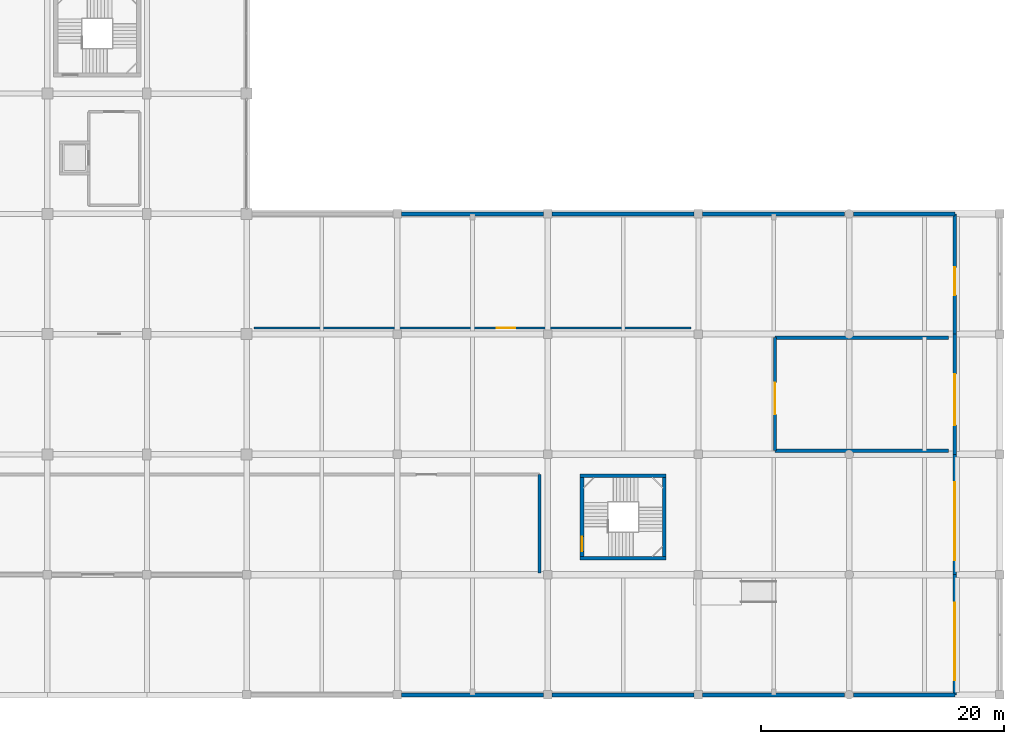
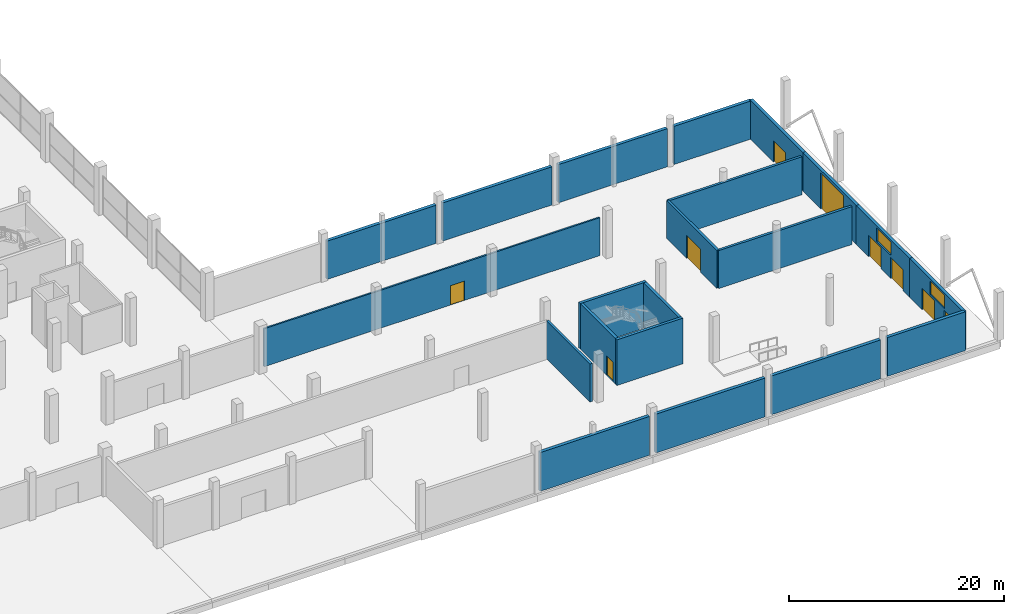
# One storey, part 24 of 50: 21 walls, 9 doors, 2 windows, 11 openings.
"""IFC4 building model written with IfcOpenShell, lengths in metres."""

from ifc_helpers import new_model, si_unit, direction, frame, frame_2d, origin, place, context, subcontext, project, spatial, rectangle, extrude, material, layer, layer_set, type_object, element, fill, save


model = new_model("IFC4")

# Units and contexts
model_context = context("Model", 3, precision=1e-05, world=origin(), true_north=direction((0.0, 1.0)))
body_context = subcontext(model_context, "Body", "Model", "MODEL_VIEW")
ifc_project = project(units=[si_unit("LENGTHUNIT", "METRE"), si_unit("AREAUNIT", "SQUARE_METRE"), si_unit("VOLUMEUNIT", "CUBIC_METRE"), si_unit("PLANEANGLEUNIT", "RADIAN"), si_unit("MASSUNIT", "GRAM", prefix="KILO")], contexts=[model_context])

# Site, building, storey
site_placement = place(None, origin())
site = spatial("IfcSite", under=ifc_project, at=site_placement, CompositionType="ELEMENT")
building_placement = place(site_placement, origin())
building = spatial("IfcBuilding", under=site, at=building_placement, Name="Sillaruma Civic Art Gallery", CompositionType="ELEMENT")
storey_placement = place(building_placement, origin())
storey = spatial("IfcBuildingStorey", under=building, at=storey_placement, Name="L00", CompositionType="ELEMENT", Elevation=0.0)

# Walls
ifc_material_1 = material(Name="Concrete H40 (40 MPa)", Category="concrete")
ifc_layer_1 = layer(ifc_material_1, 0.300048828125, Name="Concrete H40 (40 MPa)")
ifc_layer_set_1 = layer_set([ifc_layer_1], Name="Concrete H40 (40 MPa)")
wall_type_1 = type_object("IfcWallType", Name="WAL-CORE-300", PredefinedType="SHEAR", material=ifc_layer_set_1)
for number, where, z_axis, x_axis, name in (
    (1, (141.860107421875, 11.25, 0.0), (0.0, 0.0, 1.0), (1.0, 0.0, 0.0), "Stair Core Shear Wall W-CORE-300 (ST-05:L00:S)"),
    (2, (141.860107421875, 18.030029296875, 0.0), (0.0, 0.0, 1.0), (1.0, 0.0, 0.0), "Stair Core Shear Wall W-CORE-300 (ST-05:L00:N)"),
):
    element("IfcWall", number, at=place(storey_placement, frame(where, z_axis=z_axis, x_axis=x_axis)), inside=storey, type_object=wall_type_1, Name=name, PredefinedType="SHEAR", context=body_context, shape_type="SweptSolid", body=[
        extrude(rectangle(XDim=7.079833984375, YDim=0.300048828125, at=frame_2d((3.5400390625, 0.0))), origin(), (0.0, 0.0, 1.0), 5.179931640625),
    ])

# Wall, opening, door
wall_1_placement = place(storey_placement, frame((142.010009765625, 11.39990234375, 0.0), z_axis=(0.0, 0.0, 1.0), x_axis=(0.0, 1.0, 0.0)))
wall_1 = element("IfcWall", 3, at=wall_1_placement, inside=storey, type_object=wall_type_1, Name="Stair Core Shear Wall W-CORE-300 (ST-05:L00:W)", PredefinedType="SHEAR", context=body_context, shape_type="SweptSolid", body=[
    extrude(rectangle(XDim=6.47998046875, YDim=0.300048828125, at=frame_2d((3.239990234375, 0.0))), origin(), (0.0, 0.0, 1.0), 5.179931640625),
])
opening_1_placement = place(wall_1_placement, frame((0.419921875, 0.0, 0.0)))
opening_1 = element("IfcOpeningElement", 4, at=opening_1_placement, cuts=wall_1, Name="Opening D-STAIR", PredefinedType="OPENING", context=body_context, shape_type="SweptSolid", body=[
    extrude(rectangle(XDim=1.199951171875, YDim=2.199951171875, at=frame_2d((0.60009765625, 1.10009765625))), frame((0.0, 0.159912109375, 0.0), z_axis=(0.0, -1.0, 0.0), x_axis=(1.0, 0.0, 0.0)), (0.0, 0.0, 1.0), 0.320068359375),
])
ifc_material_2 = material(Name="Galvanised Steel ASTM A653 Gr.50", Category="steel")
door_type_1 = type_object("IfcDoorType", Name="DOR-STAIR-120", OperationType="NOTDEFINED", PredefinedType="DOOR", material=ifc_material_2)
door_1_placement = place(opening_1_placement, origin())
door_1 = element("IfcDoor", 5, at=door_1_placement, inside=storey, type_object=door_type_1, Name="Protected Stair Fire Door (ST-05:L00)", OperationType="SINGLE_SWING_LEFT", OverallHeight=2.199951171875, OverallWidth=1.199951171875, PredefinedType="DOOR", context=body_context, shape_type="SweptSolid", body=[
    extrude(rectangle(XDim=1.199951171875, YDim=2.199951171875, at=frame_2d((0.60009765625, 1.10009765625))), frame((0.0, 0.02490234375, 0.0), z_axis=(0.0, -1.0, 0.0), x_axis=(1.0, 0.0, 0.0)), (0.0, 0.0, 1.0), 0.050048828125),
])
fill(opening_1, door_1)

# Walls
wall_2_placement = place(storey_placement, frame((148.7900390625, 11.39990234375, 0.0), z_axis=(0.0, 0.0, 1.0), x_axis=(0.0, 1.0, 0.0)))
element("IfcWall", 6, at=wall_2_placement, inside=storey, type_object=wall_type_1, Name="Stair Core Shear Wall W-CORE-300 (ST-05:L00:E)", PredefinedType="SHEAR", context=body_context, shape_type="SweptSolid", body=[
    extrude(rectangle(XDim=6.47998046875, YDim=0.300048828125, at=frame_2d((3.239990234375, 0.0))), origin(), (0.0, 0.0, 1.0), 5.179931640625),
])
ifc_material_3 = material(Name="Concrete Masonry Unit Grade M20", Category="masonry")
ifc_layer_2 = layer(ifc_material_3, 0.264892578125, Name="Concrete Masonry Unit Grade M20")
ifc_layer_set_2 = layer_set([ifc_layer_2], Name="Concrete Masonry Unit Grade M20")
wall_type_2 = type_object("IfcWallType", Name="WAL-DOCK-250", PredefinedType="SOLIDWALL", material=ifc_layer_set_2)
for number, where, z_axis, x_axis, name in (
    (7, (157.89990234375, 20.10009765625, 0.0), (0.0, 0.0, 1.0), (1.0, 0.0, 0.0), "Interior Wall W-DOCK-250 (L00-DOCK)"),
    (8, (157.89990234375, 29.39990234375, 0.0), (0.0, 0.0, 1.0), (1.0, 0.0, 0.0), "Interior Wall W-DOCK-250 (L00-DOCK)"),
):
    element("IfcWall", number, at=place(storey_placement, frame(where, z_axis=z_axis, x_axis=x_axis)), inside=storey, type_object=wall_type_2, Name=name, PredefinedType="SOLIDWALL", context=body_context, shape_type="SweptSolid", body=[
        extrude(rectangle(XDim=14.300048828125, YDim=0.264892578125, at=frame_2d((7.14990234375, 0.0))), origin(), (0.0, 0.0, 1.0), 4.300048828125),
    ])

# Wall, opening, door
wall_3_placement = place(storey_placement, frame((157.89990234375, 20.10009765625, 0.0), z_axis=(0.0, 0.0, 1.0), x_axis=(0.0, 1.0, 0.0)))
wall_3 = element("IfcWall", 9, at=wall_3_placement, inside=storey, type_object=wall_type_2, Name="Interior Wall W-DOCK-250 (L00-DOCK)", PredefinedType="SOLIDWALL", context=body_context, shape_type="SweptSolid", body=[
    extrude(rectangle(XDim=9.2998046875, YDim=0.264892578125, at=frame_2d((4.64990234375, 0.0))), origin(), (0.0, 0.0, 1.0), 4.300048828125),
])
opening_2_placement = place(wall_3_placement, frame((3.0, 0.0, 0.0)))
opening_2 = element("IfcOpeningElement", 10, at=opening_2_placement, cuts=wall_3, Name="Opening D-STR26", PredefinedType="OPENING", context=body_context, shape_type="SweptSolid", body=[
    extrude(rectangle(XDim=2.60009765625, YDim=2.60009765625, at=frame_2d((1.300048828125, 1.300048828125))), frame((0.0, 0.142333984375, 0.0), z_axis=(0.0, -1.0, 0.0), x_axis=(1.0, 0.0, 0.0)), (0.0, 0.0, 1.0), 0.284912109375),
])
door_type_2 = type_object("IfcDoorType", Name="DOR-STORE-260", OperationType="NOTDEFINED", PredefinedType="DOOR", material=ifc_material_2)
door_2_placement = place(opening_2_placement, origin())
door_2 = element("IfcDoor", 11, at=door_2_placement, inside=storey, type_object=door_type_2, Name="Loading Dock Door (D-STR26)", OperationType="DOUBLE_DOOR_SINGLE_SWING", OverallHeight=2.60009765625, OverallWidth=2.60009765625, PredefinedType="DOOR", context=body_context, shape_type="SweptSolid", body=[
    extrude(rectangle(XDim=2.60009765625, YDim=2.60009765625, at=frame_2d((1.300048828125, 1.300048828125))), frame((0.0, 0.02490234375, 0.0), z_axis=(0.0, -1.0, 0.0), x_axis=(1.0, 0.0, 0.0)), (0.0, 0.0, 1.0), 0.050048828125),
])
fill(opening_2, door_2)

# Wall, openings, doors, window
ifc_material_4 = material(Name="Concrete Masonry Unit Grade M15", Category="masonry")
ifc_layer_3 = layer(ifc_material_4, 0.18994140625, Name="Structural backup", Category="masonry")
ifc_material_5 = material(Name="Mineral Wool Thermal Insulation", Category="insulation")
ifc_layer_4 = layer(ifc_material_5, 0.080078125, Name="Thermal insulation", Category="insulation")
ifc_material_6 = material(Name="Comanche Granitic Ashlar Stone", Category="masonry")
ifc_layer_5 = layer(ifc_material_6, 0.050048828125, Name="Rainscreen cladding", Category="masonry")
ifc_layer_set_3 = layer_set([ifc_layer_3, ifc_layer_4, ifc_layer_5], Name="W-EXT-320")
wall_type_3 = type_object("IfcWallType", Name="WAL-EXT-320", PredefinedType="SOLIDWALL", material=ifc_layer_set_3)
wall_4_placement = place(storey_placement, frame((172.699951171875, 0.0, 0.0), z_axis=(0.0, 0.0, 1.0), x_axis=(0.0, 1.0, 0.0)))
wall_4 = element("IfcWall", 12, at=wall_4_placement, inside=storey, type_object=wall_type_3, Name="Exterior Wall W-EXT-320 (EW-L00-ESTR-1)", PredefinedType="SOLIDWALL", context=body_context, shape_type="SweptSolid", body=[
    extrude(rectangle(XDim=9.89990234375, YDim=0.320068359375, at=frame_2d((4.949951171875, 0.0))), origin(), (0.0, 0.0, 1.0), 4.39990234375),
])
opening_3_placement = place(wall_4_placement, frame((3.39990234375, 0.0, 2.64990234375)))
opening_3 = element("IfcOpeningElement", 13, at=opening_3_placement, cuts=wall_4, Name="Opening WN-18", PredefinedType="OPENING", context=body_context, shape_type="SweptSolid", body=[
    extrude(rectangle(XDim=2.699951171875, YDim=1.5, at=frame_2d((1.35009765625, 0.75))), frame((0.0, 0.169921875, 0.0), z_axis=(0.0, -1.0, 0.0), x_axis=(1.0, 0.0, 0.0)), (0.0, 0.0, 1.0), 0.340087890625),
])
opening_4_placement = place(wall_4_placement, frame((1.199951171875, 0.0, 0.0)))
opening_4 = element("IfcOpeningElement", 14, at=opening_4_placement, cuts=wall_4, Name="Opening EX-230", PredefinedType="OPENING", context=body_context, shape_type="SweptSolid", body=[
    extrude(rectangle(XDim=2.300048828125, YDim=2.39990234375, at=frame_2d((1.14990234375, 1.199951171875))), frame((0.0, 0.169921875, 0.0), z_axis=(0.0, -1.0, 0.0), x_axis=(1.0, 0.0, 0.0)), (0.0, 0.0, 1.0), 0.340087890625),
])
opening_5_placement = place(wall_4_placement, frame((5.300048828125, 0.0, 0.0)))
opening_5 = element("IfcOpeningElement", 15, at=opening_5_placement, cuts=wall_4, Name="Opening EX-230", PredefinedType="OPENING", context=body_context, shape_type="SweptSolid", body=[
    extrude(rectangle(XDim=2.300048828125, YDim=2.39990234375, at=frame_2d((1.14990234375, 1.199951171875))), frame((0.0, 0.169921875, 0.0), z_axis=(0.0, -1.0, 0.0), x_axis=(1.0, 0.0, 0.0)), (0.0, 0.0, 1.0), 0.340087890625),
])
ifc_material_7 = material(Name="Thermally Broken Extruded Aluminium 6063-T6", Category="aluminium")
door_type_3 = type_object("IfcDoorType", Name="DOR-EX-230", OperationType="NOTDEFINED", PredefinedType="DOOR", material=ifc_material_7)
door_3_placement = place(opening_4_placement, frame((2.300048828125, 0.0, 0.0), z_axis=(0.0, 0.0, 1.0), x_axis=(-1.0, 0.0, 0.0)))
door_3 = element("IfcDoor", 16, at=door_3_placement, inside=storey, type_object=door_type_3, Name="Pedestrian Exit Door EX-E1", OperationType="DOUBLE_DOOR_SINGLE_SWING", OverallHeight=2.39990234375, OverallWidth=2.300048828125, PredefinedType="DOOR", context=body_context, shape_type="SweptSolid", body=[
    extrude(rectangle(XDim=2.300048828125, YDim=2.39990234375, at=frame_2d((1.14990234375, 1.199951171875))), frame((0.0, 0.02490234375, 0.0), z_axis=(0.0, -1.0, 0.0), x_axis=(1.0, 0.0, 0.0)), (0.0, 0.0, 1.0), 0.050048828125),
])
fill(opening_4, door_3)
door_4_placement = place(opening_5_placement, frame((2.300048828125, 0.0, 0.0), z_axis=(0.0, 0.0, 1.0), x_axis=(-1.0, 0.0, 0.0)))
door_4 = element("IfcDoor", 17, at=door_4_placement, inside=storey, type_object=door_type_3, Name="Pedestrian Exit Door EX-E2", OperationType="DOUBLE_DOOR_SINGLE_SWING", OverallHeight=2.39990234375, OverallWidth=2.300048828125, PredefinedType="DOOR", context=body_context, shape_type="SweptSolid", body=[
    extrude(rectangle(XDim=2.300048828125, YDim=2.39990234375, at=frame_2d((1.14990234375, 1.199951171875))), frame((0.0, 0.02490234375, 0.0), z_axis=(0.0, -1.0, 0.0), x_axis=(1.0, 0.0, 0.0)), (0.0, 0.0, 1.0), 0.050048828125),
])
fill(opening_5, door_4)
window_type = type_object("IfcWindowType", Name="WIN-W18", PartitioningType="SINGLE_PANEL", PredefinedType="WINDOW", material=ifc_material_7)
window_1_placement = place(opening_3_placement, origin())
window_1 = element("IfcWindow", 18, at=window_1_placement, inside=storey, type_object=window_type, Name="Window WN-18 (EW-L00-ESTR-1-1)", OverallHeight=1.5, OverallWidth=2.699951171875, PartitioningType="SINGLE_PANEL", PredefinedType="WINDOW", context=body_context, shape_type="SweptSolid", body=[
    extrude(rectangle(XDim=2.699951171875, YDim=1.5, at=frame_2d((1.35009765625, 0.75))), frame((0.0, 0.030029296875, 0.0), z_axis=(0.0, -1.0, 0.0), x_axis=(1.0, 0.0, 0.0)), (0.0, 0.0, 1.0), 0.06005859375),
])
fill(opening_3, window_1)

wall_5_placement = place(storey_placement, frame((172.699951171875, 9.89990234375, 0.0), z_axis=(0.0, 0.0, 1.0), x_axis=(0.0, 1.0, 0.0)))
wall_5 = element("IfcWall", 19, at=wall_5_placement, inside=storey, type_object=wall_type_3, Name="Exterior Wall W-EXT-320 (EW-L00-ESTR-2)", PredefinedType="SOLIDWALL", context=body_context, shape_type="SweptSolid", body=[
    extrude(rectangle(XDim=9.900146484375, YDim=0.320068359375, at=frame_2d((4.9501953125, 0.0))), origin(), (0.0, 0.0, 1.0), 4.39990234375),
])
opening_6_placement = place(wall_5_placement, frame((3.39990234375, 0.0, 2.64990234375)))
opening_6 = element("IfcOpeningElement", 20, at=opening_6_placement, cuts=wall_5, Name="Opening WN-18", PredefinedType="OPENING", context=body_context, shape_type="SweptSolid", body=[
    extrude(rectangle(XDim=2.699951171875, YDim=1.5, at=frame_2d((1.35009765625, 0.75))), frame((0.0, 0.169921875, 0.0), z_axis=(0.0, -1.0, 0.0), x_axis=(1.0, 0.0, 0.0)), (0.0, 0.0, 1.0), 0.340087890625),
])
opening_7_placement = place(wall_5_placement, frame((1.199951171875, 0.0, 0.0)))
opening_7 = element("IfcOpeningElement", 21, at=opening_7_placement, cuts=wall_5, Name="Opening EX-230", PredefinedType="OPENING", context=body_context, shape_type="SweptSolid", body=[
    extrude(rectangle(XDim=2.300048828125, YDim=2.39990234375, at=frame_2d((1.14990234375, 1.199951171875))), frame((0.0, 0.169921875, 0.0), z_axis=(0.0, -1.0, 0.0), x_axis=(1.0, 0.0, 0.0)), (0.0, 0.0, 1.0), 0.340087890625),
])
opening_8_placement = place(wall_5_placement, frame((5.300048828125, 0.0, 0.0)))
opening_8 = element("IfcOpeningElement", 22, at=opening_8_placement, cuts=wall_5, Name="Opening EX-230", PredefinedType="OPENING", context=body_context, shape_type="SweptSolid", body=[
    extrude(rectangle(XDim=2.300048828125, YDim=2.39990234375, at=frame_2d((1.14990234375, 1.199951171875))), frame((0.0, 0.169921875, 0.0), z_axis=(0.0, -1.0, 0.0), x_axis=(1.0, 0.0, 0.0)), (0.0, 0.0, 1.0), 0.340087890625),
])
door_5_placement = place(opening_7_placement, frame((2.300048828125, 0.0, 0.0), z_axis=(0.0, 0.0, 1.0), x_axis=(-1.0, 0.0, 0.0)))
door_5 = element("IfcDoor", 23, at=door_5_placement, inside=storey, type_object=door_type_3, Name="Pedestrian Exit Door EX-E3", OperationType="DOUBLE_DOOR_SINGLE_SWING", OverallHeight=2.39990234375, OverallWidth=2.300048828125, PredefinedType="DOOR", context=body_context, shape_type="SweptSolid", body=[
    extrude(rectangle(XDim=2.300048828125, YDim=2.39990234375, at=frame_2d((1.14990234375, 1.199951171875))), frame((0.0, 0.02490234375, 0.0), z_axis=(0.0, -1.0, 0.0), x_axis=(1.0, 0.0, 0.0)), (0.0, 0.0, 1.0), 0.050048828125),
])
fill(opening_7, door_5)
door_6_placement = place(opening_8_placement, frame((2.300048828125, 0.0, 0.0), z_axis=(0.0, 0.0, 1.0), x_axis=(-1.0, 0.0, 0.0)))
door_6 = element("IfcDoor", 24, at=door_6_placement, inside=storey, type_object=door_type_3, Name="Pedestrian Exit Door EX-E4", OperationType="DOUBLE_DOOR_SINGLE_SWING", OverallHeight=2.39990234375, OverallWidth=2.300048828125, PredefinedType="DOOR", context=body_context, shape_type="SweptSolid", body=[
    extrude(rectangle(XDim=2.300048828125, YDim=2.39990234375, at=frame_2d((1.14990234375, 1.199951171875))), frame((0.0, 0.02490234375, 0.0), z_axis=(0.0, -1.0, 0.0), x_axis=(1.0, 0.0, 0.0)), (0.0, 0.0, 1.0), 0.050048828125),
])
fill(opening_8, door_6)
window_2_placement = place(opening_6_placement, origin())
window_2 = element("IfcWindow", 25, at=window_2_placement, inside=storey, type_object=window_type, Name="Window WN-18 (EW-L00-ESTR-2-1)", OverallHeight=1.5, OverallWidth=2.699951171875, PartitioningType="SINGLE_PANEL", PredefinedType="WINDOW", context=body_context, shape_type="SweptSolid", body=[
    extrude(rectangle(XDim=2.699951171875, YDim=1.5, at=frame_2d((1.35009765625, 0.75))), frame((0.0, 0.030029296875, 0.0), z_axis=(0.0, -1.0, 0.0), x_axis=(1.0, 0.0, 0.0)), (0.0, 0.0, 1.0), 0.06005859375),
])
fill(opening_6, window_2)

# Wall, opening, door
wall_6_placement = place(storey_placement, frame((172.699951171875, 19.800048828125, 0.0), z_axis=(0.0, 0.0, 1.0), x_axis=(0.0, 1.0, 0.0)))
wall_6 = element("IfcWall", 26, at=wall_6_placement, inside=storey, type_object=wall_type_3, Name="Exterior Wall W-EXT-320 (EW-L00-ESTR-3)", PredefinedType="SOLIDWALL", context=body_context, shape_type="SweptSolid", body=[
    extrude(rectangle(XDim=9.89990234375, YDim=0.320068359375, at=frame_2d((4.949951171875, 0.0))), origin(), (0.0, 0.0, 1.0), 4.39990234375),
])
opening_9_placement = place(wall_6_placement, frame((2.39990234375, 0.0, 0.0)))
opening_9 = element("IfcOpeningElement", 27, at=opening_9_placement, cuts=wall_6, Name="Opening GD-01", PredefinedType="OPENING", context=body_context, shape_type="SweptSolid", body=[
    extrude(rectangle(XDim=4.199951171875, YDim=4.10009765625, at=frame_2d((2.10009765625, 2.050048828125))), frame((0.0, 0.169921875, 0.0), z_axis=(0.0, -1.0, 0.0), x_axis=(1.0, 0.0, 0.0)), (0.0, 0.0, 1.0), 0.340087890625),
])
door_type_4 = type_object("IfcDoorType", Name="DOR-GATE-420", OperationType="NOTDEFINED", PredefinedType="GATE", material=ifc_material_2)
door_7_placement = place(opening_9_placement, frame((4.199951171875, 0.0, 0.0), z_axis=(0.0, 0.0, 1.0), x_axis=(-1.0, 0.0, 0.0)))
door_7 = element("IfcDoor", 28, at=door_7_placement, inside=storey, type_object=door_type_4, Name="Loading Dock Roller Shutter Gate GD-01", OperationType="ROLLINGUP", OverallHeight=4.10009765625, OverallWidth=4.199951171875, PredefinedType="GATE", context=body_context, shape_type="SweptSolid", body=[
    extrude(rectangle(XDim=4.199951171875, YDim=4.10009765625, at=frame_2d((2.10009765625, 2.050048828125))), frame((0.0, 0.02490234375, 0.0), z_axis=(0.0, -1.0, 0.0), x_axis=(1.0, 0.0, 0.0)), (0.0, 0.0, 1.0), 0.050048828125),
])
fill(opening_9, door_7)

wall_7_placement = place(storey_placement, frame((172.699951171875, 29.699951171875, 0.0), z_axis=(0.0, 0.0, 1.0), x_axis=(0.0, 1.0, 0.0)))
wall_7 = element("IfcWall", 29, at=wall_7_placement, inside=storey, type_object=wall_type_3, Name="Exterior Wall W-EXT-320 (EW-L00-ESTR-4)", PredefinedType="SOLIDWALL", context=body_context, shape_type="SweptSolid", body=[
    extrude(rectangle(XDim=9.900146484375, YDim=0.320068359375, at=frame_2d((4.9501953125, 0.0))), origin(), (0.0, 0.0, 1.0), 4.39990234375),
])
opening_10_placement = place(wall_7_placement, frame((3.199951171875, 0.0, 0.0)))
opening_10 = element("IfcOpeningElement", 30, at=opening_10_placement, cuts=wall_7, Name="Opening EX-230", PredefinedType="OPENING", context=body_context, shape_type="SweptSolid", body=[
    extrude(rectangle(XDim=2.300048828125, YDim=2.39990234375, at=frame_2d((1.14990234375, 1.199951171875))), frame((0.0, 0.169921875, 0.0), z_axis=(0.0, -1.0, 0.0), x_axis=(1.0, 0.0, 0.0)), (0.0, 0.0, 1.0), 0.340087890625),
])
door_8_placement = place(opening_10_placement, frame((2.300048828125, 0.0, 0.0), z_axis=(0.0, 0.0, 1.0), x_axis=(-1.0, 0.0, 0.0)))
door_8 = element("IfcDoor", 31, at=door_8_placement, inside=storey, type_object=door_type_3, Name="Pedestrian Exit Door EX-E5", OperationType="DOUBLE_DOOR_SINGLE_SWING", OverallHeight=2.39990234375, OverallWidth=2.300048828125, PredefinedType="DOOR", context=body_context, shape_type="SweptSolid", body=[
    extrude(rectangle(XDim=2.300048828125, YDim=2.39990234375, at=frame_2d((1.14990234375, 1.199951171875))), frame((0.0, 0.02490234375, 0.0), z_axis=(0.0, -1.0, 0.0), x_axis=(1.0, 0.0, 0.0)), (0.0, 0.0, 1.0), 0.050048828125),
])
fill(opening_10, door_8)

# Walls
ifc_layer_6 = layer(ifc_material_1, 0.239990234375, Name="Boundary concrete", Category="concrete")
ifc_layer_7 = layer(ifc_material_5, 0.10009765625, Name="Acoustic-thermal liner", Category="insulation")
ifc_layer_set_4 = layer_set([ifc_layer_6, ifc_layer_7], Name="W-EXT-340")
wall_type_4 = type_object("IfcWallType", Name="WAL-EXT-340", PredefinedType="SOLIDWALL", material=ifc_layer_set_4)
wall_8_placement = place(storey_placement, frame((127.14990234375, 0.0, 0.0), z_axis=(0.0, 0.0, 1.0), x_axis=(1.0, 0.0, 0.0)))
element("IfcWall", 32, at=wall_8_placement, inside=storey, type_object=wall_type_4, Name="Exterior Wall W-EXT-340 (EW-L00-EPS-2)", PredefinedType="SOLIDWALL", context=body_context, shape_type="SweptSolid", body=[
    extrude(rectangle(XDim=11.7001953125, YDim=0.340087890625, at=frame_2d((5.85009765625, 0.0))), origin(), (0.0, 0.0, 1.0), 4.39990234375),
])
wall_9_placement = place(storey_placement, frame((127.14990234375, 39.60009765625, 0.0), z_axis=(0.0, 0.0, 1.0), x_axis=(1.0, 0.0, 0.0)))
element("IfcWall", 33, at=wall_9_placement, inside=storey, type_object=wall_type_4, Name="Exterior Wall W-EXT-340 (EW-L00-EPN-2)", PredefinedType="SOLIDWALL", context=body_context, shape_type="SweptSolid", body=[
    extrude(rectangle(XDim=11.7001953125, YDim=0.340087890625, at=frame_2d((5.85009765625, 0.0))), origin(), (0.0, 0.0, 1.0), 4.330078125),
])
wall_10_placement = place(storey_placement, frame((139.550048828125, 0.0, 0.0), z_axis=(0.0, 0.0, 1.0), x_axis=(1.0, 0.0, 0.0)))
element("IfcWall", 34, at=wall_10_placement, inside=storey, type_object=wall_type_4, Name="Exterior Wall W-EXT-340 (EW-L00-EPS-3)", PredefinedType="SOLIDWALL", context=body_context, shape_type="SweptSolid", body=[
    extrude(rectangle(XDim=11.699951171875, YDim=0.340087890625, at=frame_2d((5.85009765625, 0.0))), origin(), (0.0, 0.0, 1.0), 4.39990234375),
])
wall_11_placement = place(storey_placement, frame((139.550048828125, 39.60009765625, 0.0), z_axis=(0.0, 0.0, 1.0), x_axis=(1.0, 0.0, 0.0)))
element("IfcWall", 35, at=wall_11_placement, inside=storey, type_object=wall_type_4, Name="Exterior Wall W-EXT-340 (EW-L00-EPN-3)", PredefinedType="SOLIDWALL", context=body_context, shape_type="SweptSolid", body=[
    extrude(rectangle(XDim=11.699951171875, YDim=0.340087890625, at=frame_2d((5.85009765625, 0.0))), origin(), (0.0, 0.0, 1.0), 4.330078125),
])
wall_12_placement = place(storey_placement, frame((151.949951171875, 0.0, 0.0), z_axis=(0.0, 0.0, 1.0), x_axis=(1.0, 0.0, 0.0)))
element("IfcWall", 36, at=wall_12_placement, inside=storey, type_object=wall_type_4, Name="Exterior Wall W-EXT-340 (EW-L00-EPS-4)", PredefinedType="SOLIDWALL", context=body_context, shape_type="SweptSolid", body=[
    extrude(rectangle(XDim=11.68994140625, YDim=0.340087890625, at=frame_2d((5.844970703125, 0.0))), origin(), (0.0, 0.0, 1.0), 4.39990234375),
])
wall_13_placement = place(storey_placement, frame((151.949951171875, 39.60009765625, 0.0), z_axis=(0.0, 0.0, 1.0), x_axis=(1.0, 0.0, 0.0)))
element("IfcWall", 37, at=wall_13_placement, inside=storey, type_object=wall_type_4, Name="Exterior Wall W-EXT-340 (EW-L00-EPN-4)", PredefinedType="SOLIDWALL", context=body_context, shape_type="SweptSolid", body=[
    extrude(rectangle(XDim=11.68994140625, YDim=0.340087890625, at=frame_2d((5.844970703125, 0.0))), origin(), (0.0, 0.0, 1.0), 4.330078125),
])
wall_14_placement = place(storey_placement, frame((164.360107421875, 0.0, 0.0), z_axis=(0.0, 0.0, 1.0), x_axis=(1.0, 0.0, 0.0)))
element("IfcWall", 38, at=wall_14_placement, inside=storey, type_object=wall_type_4, Name="Exterior Wall W-EXT-340 (EW-L00-EPS-5)", PredefinedType="SOLIDWALL", context=body_context, shape_type="SweptSolid", body=[
    extrude(rectangle(XDim=8.33984375, YDim=0.340087890625, at=frame_2d((4.169921875, 0.0))), origin(), (0.0, 0.0, 1.0), 4.39990234375),
])
wall_15_placement = place(storey_placement, frame((164.360107421875, 39.60009765625, 0.0), z_axis=(0.0, 0.0, 1.0), x_axis=(1.0, 0.0, 0.0)))
element("IfcWall", 39, at=wall_15_placement, inside=storey, type_object=wall_type_4, Name="Exterior Wall W-EXT-340 (EW-L00-EPN-5)", PredefinedType="SOLIDWALL", context=body_context, shape_type="SweptSolid", body=[
    extrude(rectangle(XDim=8.33984375, YDim=0.340087890625, at=frame_2d((4.169921875, 0.0))), origin(), (0.0, 0.0, 1.0), 4.330078125),
])

# Wall, opening, door
ifc_material_8 = material(Name="Gypsum Acoustic Board", Category="gypsum")
ifc_layer_8 = layer(ifc_material_8, 0.02490234375, Name="Finish board", Category="gypsum")
ifc_layer_9 = layer(ifc_material_5, 0.1298828125, Name="Acoustic core", Category="insulation")
ifc_material_9 = material(Name="Andean Oak Timber", Category="wood")
ifc_layer_10 = layer(ifc_material_9, 0.02490234375, Name="Gallery lining", Category="wood")
ifc_layer_set_5 = layer_set([ifc_layer_8, ifc_layer_9, ifc_layer_10], Name="W-PT-180")
wall_type_5 = type_object("IfcWallType", Name="WAL-PART-180", PredefinedType="PARTITIONING", material=ifc_layer_set_5)
wall_16_placement = place(storey_placement, frame((115.0, 30.199951171875, 0.0), z_axis=(0.0, 0.0, 1.0), x_axis=(1.0, 0.0, 0.0)))
wall_16 = element("IfcWall", 40, at=wall_16_placement, inside=storey, type_object=wall_type_5, Name="Interior Wall W-PT-180 (L00-OFFE0)", PredefinedType="PARTITIONING", context=body_context, shape_type="SweptSolid", body=[
    extrude(rectangle(XDim=36.0, YDim=0.179931640625, at=frame_2d((18.0, 0.0))), origin(), (0.0, 0.0, 1.0), 4.300048828125),
])
opening_11_placement = place(wall_16_placement, frame((20.0, 0.0, 0.0)))
opening_11 = element("IfcOpeningElement", 41, at=opening_11_placement, cuts=wall_16, Name="Opening D-INT15", PredefinedType="OPENING", context=body_context, shape_type="SweptSolid", body=[
    extrude(rectangle(XDim=1.5, YDim=2.199951171875, at=frame_2d((0.75, 1.10009765625))), frame((0.0, 0.099853515625, 0.0), z_axis=(0.0, -1.0, 0.0), x_axis=(1.0, 0.0, 0.0)), (0.0, 0.0, 1.0), 0.199951171875),
])
door_type_5 = type_object("IfcDoorType", Name="DOR-INT-150", OperationType="NOTDEFINED", PredefinedType="DOOR", material=ifc_material_9)
door_9_placement = place(opening_11_placement, origin())
door_9 = element("IfcDoor", 42, at=door_9_placement, inside=storey, type_object=door_type_5, Name="Security and Registrar Curatorial Office Door (D-INT15)", OperationType="SINGLE_SWING_LEFT", OverallHeight=2.199951171875, OverallWidth=1.5, PredefinedType="DOOR", context=body_context, shape_type="SweptSolid", body=[
    extrude(rectangle(XDim=1.5, YDim=2.199951171875, at=frame_2d((0.75, 1.10009765625))), frame((0.0, 0.02490234375, 0.0), z_axis=(0.0, -1.0, 0.0), x_axis=(1.0, 0.0, 0.0)), (0.0, 0.0, 1.0), 0.050048828125),
])
fill(opening_11, door_9)

# Wall
ifc_layer_11 = layer(ifc_material_4, 0.2548828125, Name="Concrete Masonry Unit Grade M15")
ifc_layer_set_6 = layer_set([ifc_layer_11], Name="Concrete Masonry Unit Grade M15")
wall_type_6 = type_object("IfcWallType", Name="WAL-STORE-250", PredefinedType="SOLIDWALL", material=ifc_layer_set_6)
wall_17_placement = place(storey_placement, frame((138.5, 10.050048828125, 0.0), z_axis=(0.0, 0.0, 1.0), x_axis=(0.0, 1.0, 0.0)))
element("IfcWall", 43, at=wall_17_placement, inside=storey, type_object=wall_type_6, Name="Interior Wall W-STORE-250 (L00-STRE0)", PredefinedType="SOLIDWALL", context=body_context, shape_type="SweptSolid", body=[
    extrude(rectangle(XDim=8.099853515625, YDim=0.2548828125, at=frame_2d((4.0498046875, 0.0))), origin(), (0.0, 0.0, 1.0), 4.300048828125),
])

save(model, "model.ifc")
